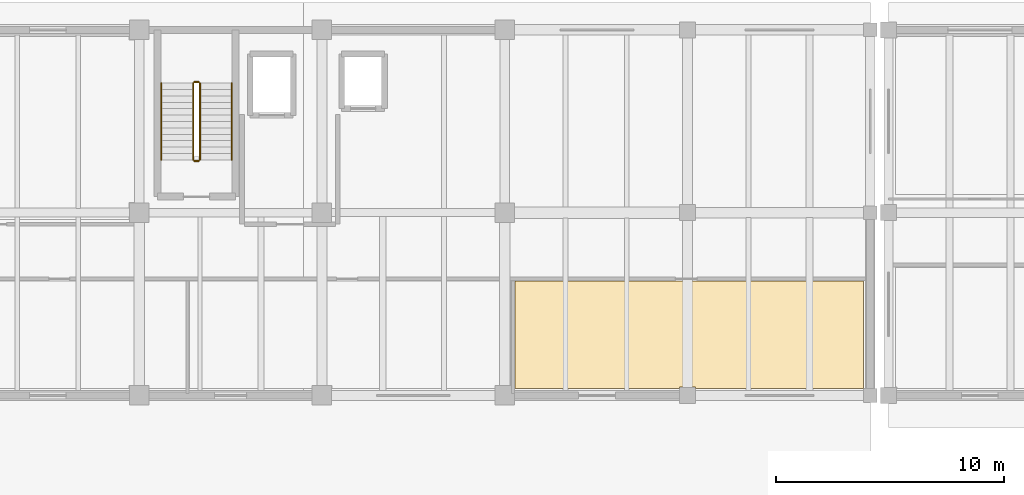
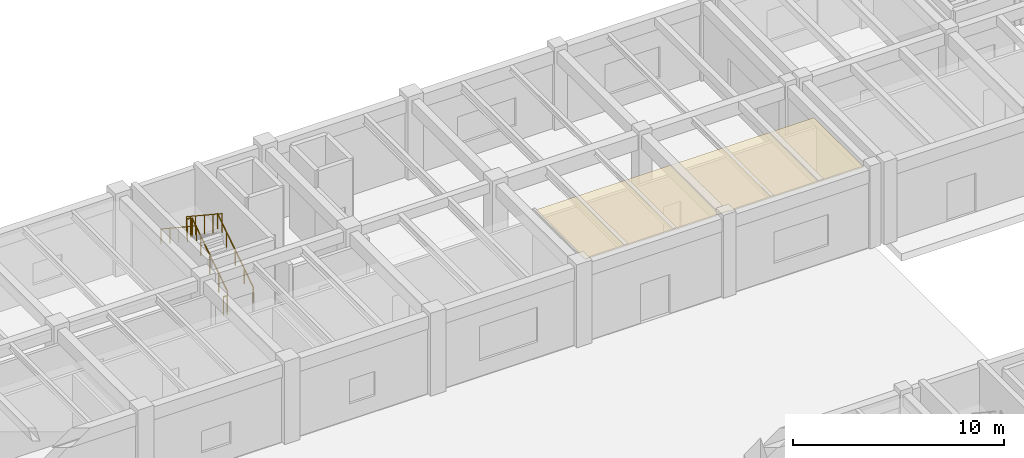
# One storey, part 58 of 64: 6 railings, 1 covering.
"""IFC4 building model written with IfcOpenShell, lengths in metres."""

import ifcopenshell
import ifcopenshell.guid

model = None  # the IFC model being written
_history = None  # IfcOwnerHistory: only IFC2X3 demands one
_inside = {}  # id of a spatial element -> (the spatial element, [elements in it])
_under = {}  # id of a project, library or spatial element -> (it, [spatial elements below it])
_declared = {}  # id of a project -> (the project, [libraries it declares])
_typed = {}  # id of a type object -> (the type object, [elements of that type])
_made_of = {}  # id of a material, layer set ... -> (it, [elements and type objects made of it])


def new_model(schema):
    """Start an empty IFC model of exactly this schema.

    Asked for "IFC4X3", IfcOpenShell would pick the latest addendum, in which some entities
    have other attributes; the version numbers below select the first issue.
    IFC2X3 requires an IfcOwnerHistory on every rooted entity: one is made here for all.
    """
    global model, _history
    if schema == "IFC4X3":
        model = ifcopenshell.file(schema_version=(4, 3, 0, 0))
    else:
        model = ifcopenshell.file(schema=schema)
    _inside.clear()
    _under.clear()
    _declared.clear()
    _typed.clear()
    _made_of.clear()
    _history = None
    if model.schema == "IFC2X3":
        org = make("IfcOrganization", Name="unknown")
        user = make(
            "IfcPersonAndOrganization",
            ThePerson=make("IfcPerson", FamilyName="unknown"),
            TheOrganization=org,
        )
        app = make(
            "IfcApplication",
            ApplicationDeveloper=org,
            Version="unknown",
            ApplicationFullName="unknown",
            ApplicationIdentifier="unknown",
        )
        _history = make(
            "IfcOwnerHistory",
            OwningUser=user,
            OwningApplication=app,
            ChangeAction="ADDED",
            CreationDate=0,
        )
    return model


def make(cls, **values):
    """One entity of the class cls with the attributes given. An attribute that is None is left unset."""
    return model.create_entity(
        cls, **{name: value for name, value in values.items() if value is not None}
    )


def rooted(cls, **values):
    """An entity with a GlobalId (a new one), such as an element, a storey or a relation."""
    return make(cls, GlobalId=ifcopenshell.guid.new(), OwnerHistory=_history, **values)


def si_unit(unit_type, name, prefix=None):
    """IfcSIUnit, for example si_unit("LENGTHUNIT", "METRE", prefix="MILLI")."""
    return make("IfcSIUnit", UnitType=unit_type, Prefix=prefix, Name=name)


def assignment(units):
    """IfcUnitAssignment: the units of a project."""
    return None if units is None else make("IfcUnitAssignment", Units=units)


def point(xyz):
    """IfcCartesianPoint."""
    return None if xyz is None else make("IfcCartesianPoint", Coordinates=xyz)


def direction(xyz):
    """IfcDirection."""
    return None if xyz is None else make("IfcDirection", DirectionRatios=xyz)


def frame(location, z_axis=None, x_axis=None):
    """IfcAxis2Placement3D, a coordinate frame: its origin and axes. An axis left out is left unset."""
    return make(
        "IfcAxis2Placement3D",
        Location=point(location),
        Axis=direction(z_axis),
        RefDirection=direction(x_axis),
    )


def frame_2d(location, x_axis=None):
    """IfcAxis2Placement2D, a coordinate frame in the plane: its origin and x axis."""
    return make(
        "IfcAxis2Placement2D", Location=point(location), RefDirection=direction(x_axis)
    )


def origin():
    """The frame at (0, 0, 0) with its axes left unset."""
    return frame((0.0, 0.0, 0.0))


def origin_2d():
    """The frame at (0, 0) in the plane with its x axis left unset."""
    return frame_2d((0.0, 0.0))


def place(relative_to, where):
    """IfcLocalPlacement: puts the frame where relative to a parent placement (None: the world)."""
    return make(
        "IfcLocalPlacement", PlacementRelTo=relative_to, RelativePlacement=where
    )


def context(
    kind, dimensions, precision=None, world=None, true_north=None, identifier=None
):
    """IfcGeometricRepresentationContext, for example the 3D "Model" context."""
    return make(
        "IfcGeometricRepresentationContext",
        ContextIdentifier=identifier,
        ContextType=kind,
        CoordinateSpaceDimension=dimensions,
        Precision=precision,
        WorldCoordinateSystem=world,
        TrueNorth=true_north,
    )


def subcontext(parent, identifier, kind, view, scale=None):
    """IfcGeometricRepresentationSubContext, for example "Body" below "Model"."""
    return make(
        "IfcGeometricRepresentationSubContext",
        ContextIdentifier=identifier,
        ContextType=kind,
        ParentContext=parent,
        TargetScale=scale,
        TargetView=view,
    )


def project(units=None, contexts=None):
    """IfcProject with its units and contexts."""
    return rooted(
        "IfcProject",
        Name="project",
        RepresentationContexts=contexts,
        UnitsInContext=assignment(units),
    )


def spatial(cls, under=None, at=None, **own):
    """A site, building, storey or space (cls), placed at a placement, below another one or the project."""
    s = rooted(cls, ObjectPlacement=at, **own)
    if under is not None:
        _under.setdefault(under.id(), (under, []))[1].append(s)
    return s


def polyline(points):
    """IfcPolyline through the points."""
    return make("IfcPolyline", Points=[point(p) for p in points])


def profile(cls, at=None, kind="AREA", **sizes):
    """A parametric profile (cls). Its sizes go by their IFC names, for example OverallWidth=200.0."""
    return make(cls, ProfileType=kind, Position=at, **sizes)


def circle(**sizes):
    """IfcCircleProfileDef."""
    return profile("IfcCircleProfileDef", **sizes)


def outline(outer, holes=None, kind="AREA"):
    """IfcArbitraryClosedProfileDef: a profile drawn as a closed curve; with holes, ...WithVoids."""
    if holes is None:
        return make("IfcArbitraryClosedProfileDef", ProfileType=kind, OuterCurve=outer)
    return make(
        "IfcArbitraryProfileDefWithVoids",
        ProfileType=kind,
        OuterCurve=outer,
        InnerCurves=holes,
    )


def extrude(swept, where, along, depth):
    """IfcExtrudedAreaSolid: the profile swept, set in the frame where, extruded along a direction by depth."""
    return make(
        "IfcExtrudedAreaSolid",
        SweptArea=swept,
        Position=where,
        ExtrudedDirection=direction(along),
        Depth=depth,
    )


def shape(context_of_items, identifier, shape_type, items):
    """IfcShapeRepresentation: the items that make up one representation, for example the "Body"."""
    return make(
        "IfcShapeRepresentation",
        ContextOfItems=context_of_items,
        RepresentationIdentifier=identifier,
        RepresentationType=shape_type,
        Items=items,
    )


def material(Name=None, Category=None):
    """IfcMaterial."""
    return make("IfcMaterial", Name=Name, Category=Category)


def layer(
    of_material, thickness, ventilated=None, Name=None, Category=None, Priority=None
):
    """IfcMaterialLayer: one layer of a wall or slab, of a material (None: an air gap)."""
    return make(
        "IfcMaterialLayer",
        Material=of_material,
        LayerThickness=thickness,
        IsVentilated=ventilated,
        Name=Name,
        Category=Category,
        Priority=Priority,
    )


def layer_set(layers, Name=None):
    """IfcMaterialLayerSet."""
    return make("IfcMaterialLayerSet", MaterialLayers=layers, LayerSetName=Name)


def made_of(thing, what):
    """Note that an element or type object is made of a material, layer set ...; save() writes the relation."""
    if what is not None:
        _made_of.setdefault(what.id(), (what, []))[1].append(thing)
    return thing


def type_object(cls, material=None, **own):
    """A type object (cls), such as IfcWallType, which elements share."""
    return made_of(rooted(cls, **own), material)


def element(
    cls,
    number,
    at=None,
    inside=None,
    cuts=None,
    type_object=None,
    material=None,
    context=None,
    identifier="Body",
    shape_type=None,
    held_by="IfcProductDefinitionShape",
    body=None,
    shapes=None,
    **own,
):
    """One element of the class cls, such as IfcWall. Its Tag is "e" and its number.

    at: its placement. inside: the storey or other place that contains it. cuts: it is an
    opening in that element (IfcRelVoidsElement). A single representation is given by context,
    identifier, shape_type and body (its items); several are given by shapes. held_by: the class
    of the entity that holds the representations. save() writes the other relations.
    """
    e = rooted(cls, Tag="e%d" % number, ObjectPlacement=at, **own)
    if body is not None:
        shapes = [shape(context, identifier, shape_type, body)]
    if shapes is not None:
        e.Representation = make(held_by, Representations=shapes)
    if inside is not None:
        _inside.setdefault(inside.id(), (inside, []))[1].append(e)
    if cuts is not None:
        rooted(
            "IfcRelVoidsElement", RelatingBuildingElement=cuts, RelatedOpeningElement=e
        )
    if type_object is not None:
        _typed.setdefault(type_object.id(), (type_object, []))[1].append(e)
    return made_of(e, material)


def aggregate(whole, parts):
    """IfcRelAggregates: a whole, such as a stair, and the parts it consists of."""
    return rooted("IfcRelAggregates", RelatingObject=whole, RelatedObjects=parts)


def save(model, path):
    """Write the relations noted so far, then the file.

    IfcRelAggregates (storeys below a building ...), IfcRelContainedInSpatialStructure (elements
    in a storey), IfcRelDefinesByType, IfcRelAssociatesMaterial and IfcRelDeclares: one each for
    every whole, place, type object, material and project.
    """
    for whole, parts in _under.values():
        aggregate(whole, parts)
    for where, things in _inside.values():
        rooted(
            "IfcRelContainedInSpatialStructure",
            RelatedElements=things,
            RelatingStructure=where,
        )
    for kind, things in _typed.values():
        rooted("IfcRelDefinesByType", RelatedObjects=things, RelatingType=kind)
    for what, things in _made_of.values():
        rooted("IfcRelAssociatesMaterial", RelatedObjects=things, RelatingMaterial=what)
    for by, libraries in _declared.values():
        rooted("IfcRelDeclares", RelatingContext=by, RelatedDefinitions=libraries)
    model.write(path)


model = new_model("IFC4")

# Units and contexts
model_context = context("Model", 3, precision=1e-05, world=origin(), true_north=direction((0.0, 1.0)))
body_context = subcontext(model_context, "Body", "Model", "MODEL_VIEW")
ifc_project = project(units=[si_unit("LENGTHUNIT", "METRE"), si_unit("AREAUNIT", "SQUARE_METRE"), si_unit("VOLUMEUNIT", "CUBIC_METRE"), si_unit("PLANEANGLEUNIT", "RADIAN"), si_unit("MASSUNIT", "GRAM", prefix="KILO")], contexts=[model_context])

# Site, building, storey
site_placement = place(None, origin())
site = spatial("IfcSite", under=ifc_project, at=site_placement, CompositionType="ELEMENT")
building_placement = place(site_placement, origin())
building = spatial("IfcBuilding", under=site, at=building_placement, Name="Tlaxcora Railside Police Headquarters", CompositionType="ELEMENT")
storey_placement = place(building_placement, origin())
storey = spatial("IfcBuildingStorey", under=building, at=storey_placement, Name="L00", CompositionType="ELEMENT", Elevation=0.0)

# Covering
ifc_material_1 = material(Name="Mineral-fibre acoustic ceiling tile")
ifc_layer = layer(ifc_material_1, 0.034912109375, Name="Mineral-fibre acoustic ceiling tile")
ifc_layer_set = layer_set([ifc_layer], Name="Mineral-fibre acoustic ceiling tile")
covering_type = type_object("IfcCoveringType", Name="Acoustic Suspended Ceiling CLG-01", PredefinedType="CEILING", material=ifc_layer_set)
covering_placement = place(storey_placement, frame((0.0, 0.0, 4.364990234375)))
element("IfcCovering", 1, at=covering_placement, inside=storey, type_object=covering_type, Name="Officer Canteen and Break Lounge suspended ceiling", PredefinedType="CEILING", context=body_context, shape_type="SweptSolid", body=[
    extrude(outline(polyline([(86.444091796875, 81.800048828125), (86.444091796875, 77.10009765625), (93.639892578125, 77.10009765625), (93.639892578125, 77.159912109375), (94.360107421875, 77.159912109375), (94.360107421875, 77.10009765625), (101.68994140625, 77.10009765625), (101.68994140625, 77.110107421875), (101.699951171875, 77.110107421875), (101.699951171875, 81.800048828125), (86.444091796875, 81.800048828125)])), origin(), (0.0, 0.0, 1.0), 0.034912109375),
])

# Railings
ifc_material_2 = material(Name="Steel ASTM A992 Grade 50", Category="steel")
railing_type_1 = type_object("IfcRailingType", Name="Stair Well Guard Balustrade GR-02", PredefinedType="BALUSTRADE", material=ifc_material_2)
railing_1_placement = place(storey_placement, frame((72.659912109375, 87.110107421875, 0.1845703125)))
element("IfcRailing", 2, at=railing_1_placement, inside=storey, type_object=railing_type_1, Name="L00 ST2 stair guard 1", PredefinedType="BALUSTRADE", context=body_context, shape_type="SweptSolid", body=[
    extrude(circle(Radius=0.02392578125, at=origin_2d()), frame((0.0, 0.0, 1.09619140625), z_axis=(0.0, 0.834858096282, 0.550465220583), x_axis=(-1.0, 0.0, 0.0)), (0.0, 0.0, 1.0), 4.0244140625),
    extrude(circle(Radius=0.02099609375, at=origin_2d()), origin(), (0.0, 0.0, 1.0), 1.072021484375),
    extrude(circle(Radius=0.02099609375, at=origin_2d()), frame((0.0, 0.83984375, 0.5537109375)), (0.0, 0.0, 1.0), 1.072021484375),
    extrude(circle(Radius=0.02099609375, at=origin_2d()), frame((0.0, 1.679931640625, 1.107666015625)), (0.0, 0.0, 1.0), 1.072021484375),
    extrude(circle(Radius=0.02099609375, at=origin_2d()), frame((0.0, 2.52001953125, 1.66162109375)), (0.0, 0.0, 1.0), 1.072021484375),
    extrude(circle(Radius=0.02099609375, at=origin_2d()), frame((0.0, 3.35986328125, 2.21533203125)), (0.0, 0.0, 1.0), 1.072021484375),
])
railing_2_placement = place(storey_placement, frame((72.610107421875, 90.52001953125, 2.39990234375)))
element("IfcRailing", 3, at=railing_2_placement, inside=storey, type_object=railing_type_1, Name="L00 ST2 stair guard 2", PredefinedType="BALUSTRADE", context=body_context, shape_type="SweptSolid", body=[
    extrude(circle(Radius=0.02392578125, at=origin_2d()), frame((0.0, 0.0, 1.09619140625), z_axis=(-1.0, 0.0, 0.0), x_axis=(0.0, -1.0, 0.0)), (0.0, 0.0, 1.0), 0.2001953125),
    extrude(circle(Radius=0.02099609375, at=origin_2d()), origin(), (0.0, 0.0, 1.0), 1.072021484375),
    extrude(circle(Radius=0.02099609375, at=origin_2d()), frame((-0.2001953125, 0.0, 0.0)), (0.0, 0.0, 1.0), 1.072021484375),
])
railing_3_placement = place(storey_placement, frame((72.360107421875, 90.469970703125, 2.584716796875)))
element("IfcRailing", 4, at=railing_3_placement, inside=storey, type_object=railing_type_1, Name="L00 ST2 stair guard 3", PredefinedType="BALUSTRADE", context=body_context, shape_type="SweptSolid", body=[
    extrude(circle(Radius=0.02392578125, at=origin_2d()), frame((0.0, 0.0, 1.09619140625), z_axis=(0.0, -0.834858096282, 0.550465220583), x_axis=(1.0, 0.0, 0.0)), (0.0, 0.0, 1.0), 4.0244140625),
    extrude(circle(Radius=0.02099609375, at=origin_2d()), origin(), (0.0, 0.0, 1.0), 1.072021484375),
    extrude(circle(Radius=0.02099609375, at=origin_2d()), frame((0.0, -0.83984375, 0.5537109375)), (0.0, 0.0, 1.0), 1.072021484375),
    extrude(circle(Radius=0.02099609375, at=origin_2d()), frame((0.0, -1.679931640625, 1.107666015625)), (0.0, 0.0, 1.0), 1.072021484375),
    extrude(circle(Radius=0.02099609375, at=origin_2d()), frame((0.0, -2.52001953125, 1.66162109375)), (0.0, 0.0, 1.0), 1.072021484375),
    extrude(circle(Radius=0.02099609375, at=origin_2d()), frame((0.0, -3.35986328125, 2.21533203125)), (0.0, 0.0, 1.0), 1.072021484375),
])
railing_4_placement = place(storey_placement, frame((72.610107421875, 87.06005859375, 0.0)))
element("IfcRailing", 5, at=railing_4_placement, inside=storey, type_object=railing_type_1, Name="L00 ST2 stair guard 4", PredefinedType="BALUSTRADE", context=body_context, shape_type="SweptSolid", body=[
    extrude(circle(Radius=0.02392578125, at=origin_2d()), frame((0.0, 0.0, 1.09619140625), z_axis=(-1.0, 0.0, 0.0), x_axis=(0.0, -1.0, 0.0)), (0.0, 0.0, 1.0), 0.2001953125),
    extrude(circle(Radius=0.02099609375, at=origin_2d()), origin(), (0.0, 0.0, 1.0), 1.072021484375),
    extrude(circle(Radius=0.02099609375, at=origin_2d()), frame((-0.2001953125, 0.0, 0.0)), (0.0, 0.0, 1.0), 1.072021484375),
])
railing_type_2 = type_object("IfcRailingType", Name="Stair and Ramp Handrail HR-01", PredefinedType="HANDRAIL", material=ifc_material_2)
railing_5_placement = place(storey_placement, frame((74.06005859375, 87.110107421875, 0.1845703125)))
element("IfcRailing", 6, at=railing_5_placement, inside=storey, type_object=railing_type_2, Name="L00 ST2 stair handrail 1", PredefinedType="HANDRAIL", context=body_context, shape_type="SweptSolid", body=[
    extrude(circle(Radius=0.02392578125, at=origin_2d()), frame((0.0, 0.0, 0.8759765625), z_axis=(0.0, 0.834858096282, 0.550465220583), x_axis=(-1.0, 0.0, 0.0)), (0.0, 0.0, 1.0), 4.0244140625),
    extrude(circle(Radius=0.02099609375, at=origin_2d()), origin(), (0.0, 0.0, 1.0), 0.851806640625),
    extrude(circle(Radius=0.02099609375, at=origin_2d()), frame((0.0, 0.83984375, 0.5537109375)), (0.0, 0.0, 1.0), 0.851806640625),
    extrude(circle(Radius=0.02099609375, at=origin_2d()), frame((0.0, 1.679931640625, 1.107666015625)), (0.0, 0.0, 1.0), 0.851806640625),
    extrude(circle(Radius=0.02099609375, at=origin_2d()), frame((0.0, 2.52001953125, 1.66162109375)), (0.0, 0.0, 1.0), 0.851806640625),
    extrude(circle(Radius=0.02099609375, at=origin_2d()), frame((0.0, 3.35986328125, 2.21533203125)), (0.0, 0.0, 1.0), 0.851806640625),
])
railing_6_placement = place(storey_placement, frame((70.9599609375, 90.469970703125, 2.584716796875)))
element("IfcRailing", 7, at=railing_6_placement, inside=storey, type_object=railing_type_2, Name="L00 ST2 stair handrail 2", PredefinedType="HANDRAIL", context=body_context, shape_type="SweptSolid", body=[
    extrude(circle(Radius=0.02392578125, at=origin_2d()), frame((0.0, 0.0, 0.8759765625), z_axis=(0.0, -0.834858096282, 0.550465220583), x_axis=(1.0, 0.0, 0.0)), (0.0, 0.0, 1.0), 4.0244140625),
    extrude(circle(Radius=0.02099609375, at=origin_2d()), origin(), (0.0, 0.0, 1.0), 0.851806640625),
    extrude(circle(Radius=0.02099609375, at=origin_2d()), frame((0.0, -0.83984375, 0.5537109375)), (0.0, 0.0, 1.0), 0.851806640625),
    extrude(circle(Radius=0.02099609375, at=origin_2d()), frame((0.0, -1.679931640625, 1.107666015625)), (0.0, 0.0, 1.0), 0.851806640625),
    extrude(circle(Radius=0.02099609375, at=origin_2d()), frame((0.0, -2.52001953125, 1.66162109375)), (0.0, 0.0, 1.0), 0.851806640625),
    extrude(circle(Radius=0.02099609375, at=origin_2d()), frame((0.0, -3.35986328125, 2.21533203125)), (0.0, 0.0, 1.0), 0.851806640625),
])

save(model, "model.ifc")
